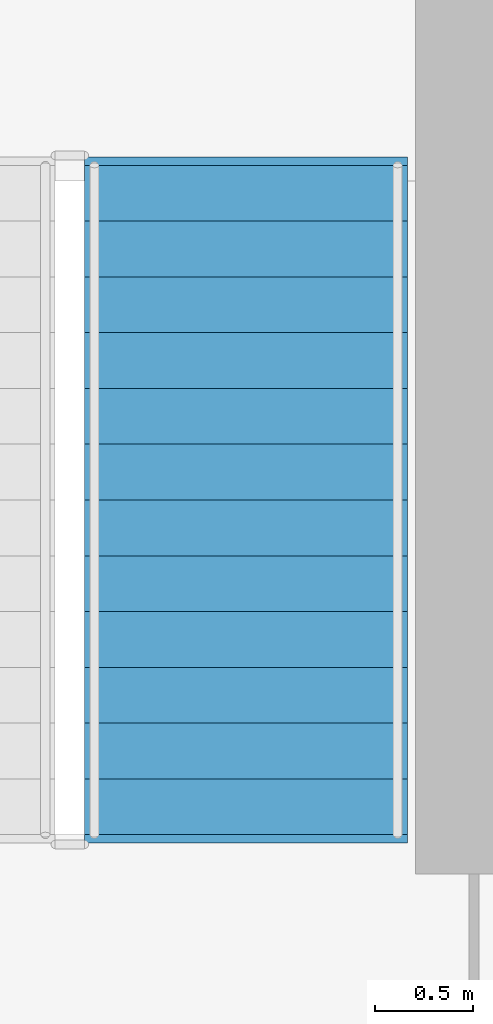
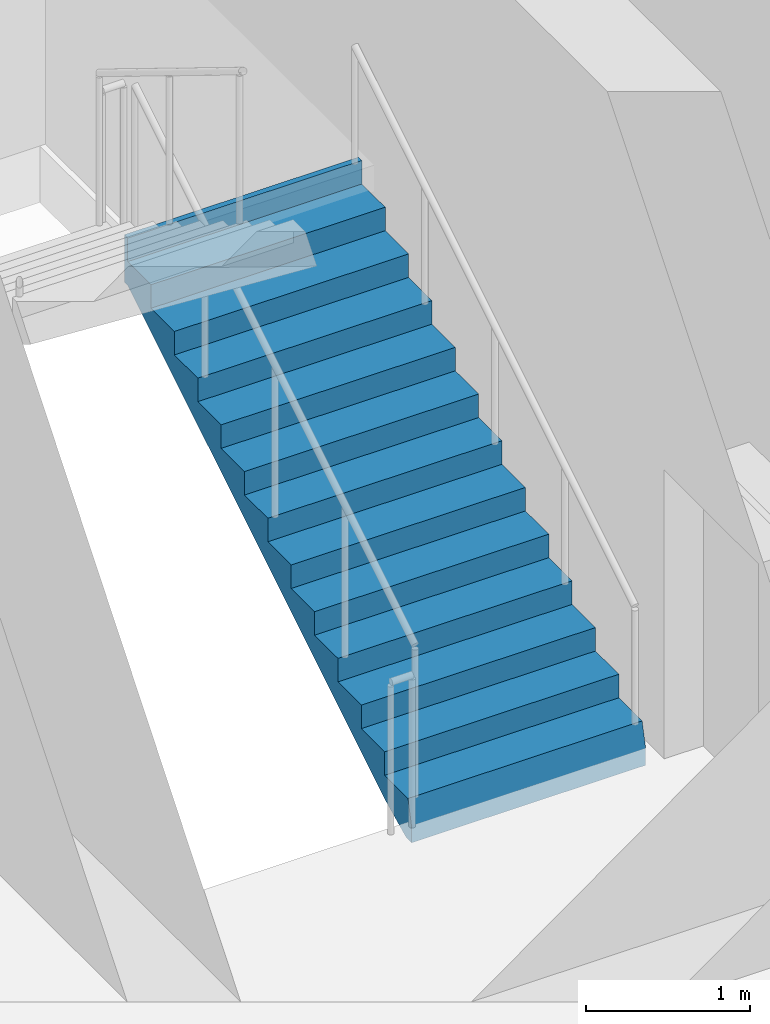
# One storey, part 11 of 14: 1 stair flight, 1 element without a shape of its own.
"""IFC4 building model written with IfcOpenShell, lengths in metres."""

from ifc_helpers import new_model, si_unit, direction, frame, origin, place, context, subcontext, project, spatial, polyline, outline, extrude, material, type_object, element, aggregate, save


model = new_model("IFC4")

# Units and contexts
model_context = context("Model", 3, precision=1e-05, world=origin(), true_north=direction((0.0, 1.0)))
body_context = subcontext(model_context, "Body", "Model", "MODEL_VIEW")
ifc_project = project(units=[si_unit("LENGTHUNIT", "METRE"), si_unit("AREAUNIT", "SQUARE_METRE"), si_unit("VOLUMEUNIT", "CUBIC_METRE"), si_unit("PLANEANGLEUNIT", "RADIAN"), si_unit("MASSUNIT", "GRAM", prefix="KILO")], contexts=[model_context])

# Site, building, storey
site_placement = place(None, origin())
site = spatial("IfcSite", under=ifc_project, at=site_placement, CompositionType="ELEMENT")
building_placement = place(site_placement, origin())
building = spatial("IfcBuilding", under=site, at=building_placement, Name="Nhamokura Convention Tower", CompositionType="ELEMENT")
storey_placement = place(building_placement, frame((0.0, 0.0, 182.35009765625)))
storey = spatial("IfcBuildingStorey", under=building, at=storey_placement, Name="L44", CompositionType="ELEMENT", Elevation=182.35009765625)

# Stair, stair flight
ifc_material_1 = material(Name="Concrete C40/50", Category="concrete")
stair_type = type_object("IfcStairType", Name="TowerCoreStair_1650", PredefinedType="HALF_TURN_STAIR", material=ifc_material_1)
stair_placement = place(storey_placement, origin())
stair = element("IfcStair", 1, at=stair_placement, inside=storey, type_object=stair_type, Name="L44 East Core Smokeproof Stair ST-02", PredefinedType="HALF_TURN_STAIR")
ifc_material_2 = material(Name="Concrete C40/50", Category="concrete")
stair_flight_type = type_object("IfcStairFlightType", Name="TowerCoreStair_1650_Flight", PredefinedType="STRAIGHT", material=ifc_material_2)
stair_flight_placement = place(storey_placement, frame((41.72509765625, 23.10009765625, 0.0), z_axis=(0.0, 0.0, 1.0), x_axis=(0.0, 1.0, 0.0)))
stair_flight = element("IfcStairFlight", 2, at=stair_flight_placement, type_object=stair_flight_type, Name="ST-02 flight 1", NumberOfRisers=13, NumberOfTreads=12, PredefinedType="STRAIGHT", RiserHeight=0.175, TreadLength=0.285, context=body_context, shape_type="SweptSolid", body=[
    extrude(outline(polyline([(-0.0419921875, 0.0), (0.0, 0.175048828125), (0.284912109375, 0.175048828125), (0.284912109375, 0.35009765625), (0.570068359375, 0.35009765625), (0.570068359375, 0.52490234375), (0.85498046875, 0.52490234375), (0.85498046875, 0.699951171875), (1.139892578125, 0.699951171875), (1.139892578125, 0.875), (1.425048828125, 0.875), (1.425048828125, 1.050048828125), (1.7099609375, 1.050048828125), (1.7099609375, 1.22509765625), (1.9951171875, 1.22509765625), (1.9951171875, 1.39990234375), (2.280029296875, 1.39990234375), (2.280029296875, 1.574951171875), (2.56494140625, 1.574951171875), (2.56494140625, 1.75), (2.85009765625, 1.75), (2.85009765625, 1.925048828125), (3.135009765625, 1.925048828125), (3.135009765625, 2.10009765625), (3.419921875, 2.10009765625), (3.419921875, 2.27490234375), (3.4619140625, 2.27490234375), (3.4619140625, 1.924072265625), (3.419921875, 1.924072265625), (0.286376953125, 0.0), (0.02001953125, -0.1298828125), (-0.0419921875, -0.1298828125), (-0.0419921875, 0.0)])), frame((0.0, 0.824951171875, 0.0), z_axis=(0.0, -1.0, 0.0), x_axis=(1.0, 0.0, 0.0)), (0.0, 0.0, 1.0), 1.64990234375),
])
aggregate(stair, [stair_flight])

save(model, "model.ifc")
